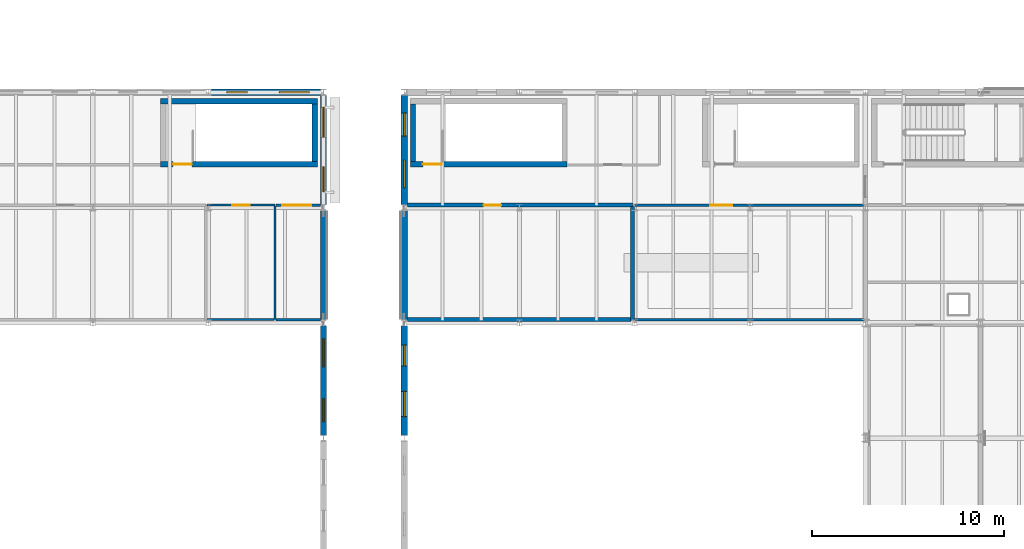
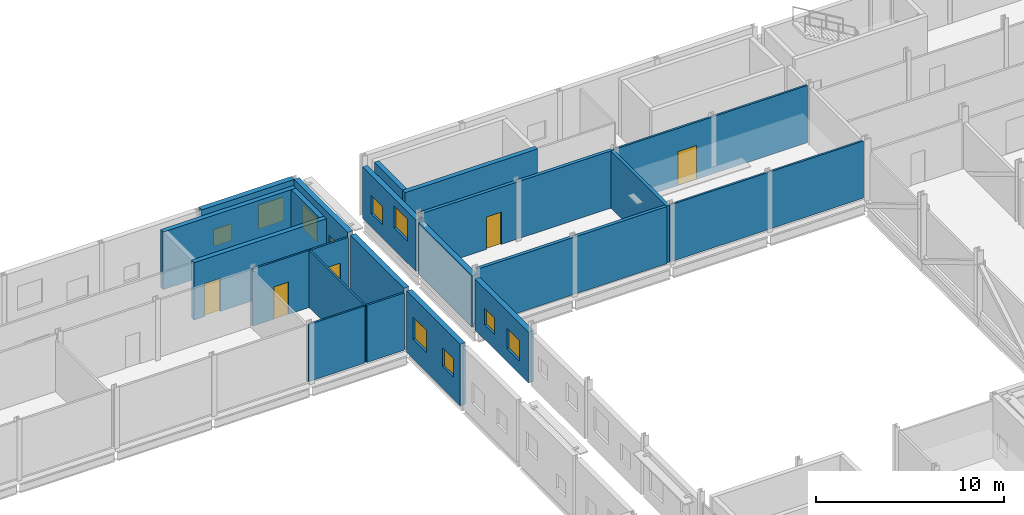
# One storey, part 66 of 92: 22 walls, 10 windows, 6 doors, 16 openings.
"""IFC4 building model written with IfcOpenShell, lengths in metres."""

from ifc_helpers import new_model, si_unit, direction, frame, frame_2d, origin, place, context, subcontext, project, spatial, rectangle, extrude, material, layer, layer_set, type_object, element, fill, save


model = new_model("IFC4")

# Units and contexts
model_context = context("Model", 3, precision=1e-05, world=origin(), true_north=direction((0.0, 1.0)))
body_context = subcontext(model_context, "Body", "Model", "MODEL_VIEW")
ifc_project = project(units=[si_unit("LENGTHUNIT", "METRE"), si_unit("AREAUNIT", "SQUARE_METRE"), si_unit("VOLUMEUNIT", "CUBIC_METRE"), si_unit("PLANEANGLEUNIT", "RADIAN"), si_unit("MASSUNIT", "GRAM", prefix="KILO")], contexts=[model_context])

# Site, building, storey
site_placement = place(None, origin())
site = spatial("IfcSite", under=ifc_project, at=site_placement, CompositionType="ELEMENT")
building_placement = place(site_placement, origin())
building = spatial("IfcBuilding", under=site, at=building_placement, Name="Siltcreek Boulevard Central Fire Station", CompositionType="ELEMENT")
storey_placement = place(building_placement, frame((0.0, 0.0, 6.0)))
storey = spatial("IfcBuildingStorey", under=building, at=storey_placement, Name="L02", CompositionType="ELEMENT", Elevation=6.0)

# Wall, opening, door
ifc_material_1 = material(Name="Concrete C40/50", Category="concrete")
ifc_layer_1 = layer(ifc_material_1, 0.280029296875, Name="Concrete C40/50")
ifc_layer_set_1 = layer_set([ifc_layer_1], Name="Concrete C40/50")
wall_type_1 = type_object("IfcWallType", Name="CW_SHEAR280", PredefinedType="SHEAR", material=ifc_layer_set_1)
wall_1_placement = place(storey_placement, frame((29.320068359375, 50.260009765625, 0.0), z_axis=(0.0, 0.0, 1.0), x_axis=(1.0, 0.0, 0.0)))
wall_1 = element("IfcWall", 1, at=wall_1_placement, inside=storey, type_object=wall_type_1, Name="L02 ST-V4B stair enclosure south shear wall", PredefinedType="SHEAR", context=body_context, shape_type="SweptSolid", body=[
    extrude(rectangle(XDim=8.159912109375, YDim=0.280029296875, at=frame_2d((4.080078125, 0.0))), origin(), (0.0, 0.0, 1.0), 3.75),
])
opening_1_placement = place(wall_1_placement, frame((0.64990234375, 0.0, 0.0)))
opening_1 = element("IfcOpeningElement", 2, at=opening_1_placement, cuts=wall_1, Name="Opening SD-004", PredefinedType="OPENING", context=body_context, shape_type="SweptSolid", body=[
    extrude(rectangle(XDim=0.97998046875, YDim=2.14990234375, at=frame_2d((0.489990234375, 1.074951171875))), frame((0.0, 0.14990234375, 0.0), z_axis=(0.0, -1.0, 0.0), x_axis=(1.0, 0.0, 0.0)), (0.0, 0.0, 1.0), 0.300048828125),
])
ifc_material_2 = material(Name="Hollow metal 90-min enclosed stair door")
door_type_1 = type_object("IfcDoorType", Name="DR_ST_098X215", OperationType="NOTDEFINED", PredefinedType="DOOR", material=ifc_material_2)
door_1_placement = place(opening_1_placement, origin())
door_1 = element("IfcDoor", 3, at=door_1_placement, inside=storey, type_object=door_type_1, Name="L02 ST-V4B enclosed exit stair door SD-004", OperationType="SINGLE_SWING_LEFT", OverallHeight=2.14990234375, OverallWidth=0.97998046875, PredefinedType="DOOR", context=body_context, shape_type="SweptSolid", body=[
    extrude(rectangle(XDim=0.97998046875, YDim=2.14990234375, at=frame_2d((0.489990234375, 1.074951171875))), frame((0.0, 0.02490234375, 0.0), z_axis=(0.0, -1.0, 0.0), x_axis=(1.0, 0.0, 0.0)), (0.0, 0.0, 1.0), 0.050048828125),
])
fill(opening_1, door_1)

# Walls
wall_2_placement = place(storey_placement, frame((37.47998046875, 53.5400390625, 0.0), z_axis=(0.0, 0.0, 1.0), x_axis=(-1.0, 0.0, 0.0)))
element("IfcWall", 4, at=wall_2_placement, inside=storey, type_object=wall_type_1, Name="L02 ST-V4B stair enclosure north shear wall", PredefinedType="SHEAR", context=body_context, shape_type="SweptSolid", body=[
    extrude(rectangle(XDim=8.159912109375, YDim=0.280029296875, at=frame_2d((4.080078125, 0.0))), origin(), (0.0, 0.0, 1.0), 3.75),
])
wall_3_placement = place(storey_placement, frame((37.340087890625, 50.39990234375, 0.0), z_axis=(0.0, 0.0, 1.0), x_axis=(0.0, 1.0, 0.0)))
element("IfcWall", 5, at=wall_3_placement, inside=storey, type_object=wall_type_1, Name="L02 ST-V4B stair enclosure east shear wall", PredefinedType="SHEAR", context=body_context, shape_type="SweptSolid", body=[
    extrude(rectangle(XDim=3.0, YDim=0.280029296875, at=frame_2d((1.5, 0.0))), origin(), (0.0, 0.0, 1.0), 3.75),
])

# Wall, opening, door
wall_4_placement = place(storey_placement, frame((42.320068359375, 50.260009765625, 0.0), z_axis=(0.0, 0.0, 1.0), x_axis=(1.0, 0.0, 0.0)))
wall_4 = element("IfcWall", 6, at=wall_4_placement, inside=storey, type_object=wall_type_1, Name="L02 ST-V1A stair enclosure south shear wall", PredefinedType="SHEAR", context=body_context, shape_type="SweptSolid", body=[
    extrude(rectangle(XDim=8.159912109375, YDim=0.280029296875, at=frame_2d((4.080078125, 0.0))), origin(), (0.0, 0.0, 1.0), 3.75),
])
opening_2_placement = place(wall_4_placement, frame((0.64990234375, 0.0, 0.0)))
opening_2 = element("IfcOpeningElement", 7, at=opening_2_placement, cuts=wall_4, Name="Opening SD-006", PredefinedType="OPENING", context=body_context, shape_type="SweptSolid", body=[
    extrude(rectangle(XDim=0.97998046875, YDim=2.14990234375, at=frame_2d((0.489990234375, 1.074951171875))), frame((0.0, 0.14990234375, 0.0), z_axis=(0.0, -1.0, 0.0), x_axis=(1.0, 0.0, 0.0)), (0.0, 0.0, 1.0), 0.300048828125),
])
door_2_placement = place(opening_2_placement, origin())
door_2 = element("IfcDoor", 8, at=door_2_placement, inside=storey, type_object=door_type_1, Name="L02 ST-V1A enclosed exit stair door SD-006", OperationType="SINGLE_SWING_LEFT", OverallHeight=2.14990234375, OverallWidth=0.97998046875, PredefinedType="DOOR", context=body_context, shape_type="SweptSolid", body=[
    extrude(rectangle(XDim=0.97998046875, YDim=2.14990234375, at=frame_2d((0.489990234375, 1.074951171875))), frame((0.0, 0.02490234375, 0.0), z_axis=(0.0, -1.0, 0.0), x_axis=(1.0, 0.0, 0.0)), (0.0, 0.0, 1.0), 0.050048828125),
])
fill(opening_2, door_2)

# Wall
wall_5_placement = place(storey_placement, frame((42.4599609375, 53.39990234375, 0.0), z_axis=(0.0, 0.0, 1.0), x_axis=(0.0, -1.0, 0.0)))
element("IfcWall", 9, at=wall_5_placement, inside=storey, type_object=wall_type_1, Name="L02 ST-V1A stair enclosure west shear wall", PredefinedType="SHEAR", context=body_context, shape_type="SweptSolid", body=[
    extrude(rectangle(XDim=3.0, YDim=0.280029296875, at=frame_2d((1.5, 0.0))), origin(), (0.0, 0.0, 1.0), 3.75),
])

# Wall, openings, windows
ifc_material_3 = material(Name="White ribbed aluminum insulated rainscreen panel", Category="aluminium")
ifc_layer_2 = layer(ifc_material_3, 0.320068359375, Name="White ribbed aluminum insulated rainscreen panel")
ifc_layer_set_2 = layer_set([ifc_layer_2], Name="White ribbed aluminum insulated rainscreen panel")
wall_type_2 = type_object("IfcWallType", Name="EW_METAL320", PredefinedType="STANDARD", material=ifc_layer_set_2)
wall_6_placement = place(storey_placement, frame((42.0, 41.85498046875, 0.0), z_axis=(0.0, 0.0, 1.0), x_axis=(0.0, -1.0, 0.0)))
wall_6 = element("IfcWall", 10, at=wall_6_placement, inside=storey, type_object=wall_type_2, Name="L02 V1 exterior insulated rainscreen wall WL-EXT-L02-0043", PredefinedType="STANDARD", context=body_context, shape_type="SweptSolid", body=[
    extrude(rectangle(XDim=5.7099609375, YDim=0.320068359375, at=frame_2d((2.85498046875, 0.0))), origin(), (0.0, 0.0, 1.0), 3.318115234375),
])
opening_3_placement = place(wall_6_placement, frame((1.014404296875, 0.0, 0.9599609375)))
opening_3 = element("IfcOpeningElement", 11, at=opening_3_placement, cuts=wall_6, Name="Opening WN05", PredefinedType="OPENING", context=body_context, shape_type="SweptSolid", body=[
    extrude(rectangle(XDim=1.080078125, YDim=1.080078125, at=frame_2d((0.5400390625, 0.5400390625))), frame((0.0, 0.169921875, 0.0), z_axis=(0.0, -1.0, 0.0), x_axis=(1.0, 0.0, 0.0)), (0.0, 0.0, 1.0), 0.340087890625),
])
opening_4_placement = place(wall_6_placement, frame((3.42041015625, 0.0, 0.860107421875)))
opening_4 = element("IfcOpeningElement", 12, at=opening_4_placement, cuts=wall_6, Name="Opening WN02", PredefinedType="OPENING", context=body_context, shape_type="SweptSolid", body=[
    extrude(rectangle(XDim=1.320068359375, YDim=1.320068359375, at=frame_2d((0.66015625, 0.66015625))), frame((0.0, 0.169921875, 0.0), z_axis=(0.0, -1.0, 0.0), x_axis=(1.0, 0.0, 0.0)), (0.0, 0.0, 1.0), 0.340087890625),
])
ifc_material_4 = material(Name="Thermally broken aluminum frame with low-E insulated glass", Category="aluminium")
window_type_1 = type_object("IfcWindowType", Name="WN_SQ_108X108", PartitioningType="SINGLE_PANEL", PredefinedType="WINDOW", material=ifc_material_4)
window_1_placement = place(opening_3_placement, origin())
window_1 = element("IfcWindow", 13, at=window_1_placement, inside=storey, type_object=window_type_1, Name="L02 V1 square exterior window WN-0024", OverallHeight=1.080078125, OverallWidth=1.080078125, PartitioningType="SINGLE_PANEL", PredefinedType="WINDOW", context=body_context, shape_type="SweptSolid", body=[
    extrude(rectangle(XDim=1.080078125, YDim=1.080078125, at=frame_2d((0.5400390625, 0.5400390625))), frame((0.0, 0.030029296875, 0.0), z_axis=(0.0, -1.0, 0.0), x_axis=(1.0, 0.0, 0.0)), (0.0, 0.0, 1.0), 0.06005859375),
])
fill(opening_3, window_1)
window_type_2 = type_object("IfcWindowType", Name="WN_SQ_132X132", PartitioningType="SINGLE_PANEL", PredefinedType="WINDOW", material=ifc_material_4)
window_2_placement = place(opening_4_placement, origin())
window_2 = element("IfcWindow", 14, at=window_2_placement, inside=storey, type_object=window_type_2, Name="L02 V1 square exterior window WN-0025", OverallHeight=1.320068359375, OverallWidth=1.320068359375, PartitioningType="SINGLE_PANEL", PredefinedType="WINDOW", context=body_context, shape_type="SweptSolid", body=[
    extrude(rectangle(XDim=1.320068359375, YDim=1.320068359375, at=frame_2d((0.66015625, 0.66015625))), frame((0.0, 0.030029296875, 0.0), z_axis=(0.0, -1.0, 0.0), x_axis=(1.0, 0.0, 0.0)), (0.0, 0.0, 1.0), 0.06005859375),
])
fill(opening_4, window_2)

# Wall
wall_7_placement = place(storey_placement, frame((42.0, 47.85498046875, 0.0), z_axis=(0.0, 0.0, 1.0), x_axis=(0.0, -1.0, 0.0)))
element("IfcWall", 15, at=wall_7_placement, inside=storey, type_object=wall_type_2, Name="L02 V1 exterior insulated rainscreen wall WL-EXT-L02-0044", PredefinedType="STANDARD", context=body_context, shape_type="SweptSolid", body=[
    extrude(rectangle(XDim=5.7099609375, YDim=0.320068359375, at=frame_2d((2.85498046875, 0.0))), origin(), (0.0, 0.0, 1.0), 3.3388671875),
])

# Wall, openings, windows
wall_8_placement = place(storey_placement, frame((42.0, 53.85498046875, 0.0), z_axis=(0.0, 0.0, 1.0), x_axis=(0.0, -1.0, 0.0)))
wall_8 = element("IfcWall", 16, at=wall_8_placement, inside=storey, type_object=wall_type_2, Name="L02 V1 exterior insulated rainscreen wall WL-EXT-L02-0045", PredefinedType="STANDARD", context=body_context, shape_type="SweptSolid", body=[
    extrude(rectangle(XDim=5.7099609375, YDim=0.320068359375, at=frame_2d((2.85498046875, 0.0))), origin(), (0.0, 0.0, 1.0), 3.3388671875),
])
opening_5_placement = place(wall_8_placement, frame((0.936279296875, 0.0, 0.860107421875)))
opening_5 = element("IfcOpeningElement", 17, at=opening_5_placement, cuts=wall_8, Name="Opening WN01", PredefinedType="OPENING", context=body_context, shape_type="SweptSolid", body=[
    extrude(rectangle(XDim=1.199951171875, YDim=1.199951171875, at=frame_2d((0.60009765625, 0.60009765625))), frame((0.0, 0.169921875, 0.0), z_axis=(0.0, -1.0, 0.0), x_axis=(1.0, 0.0, 0.0)), (0.0, 0.0, 1.0), 0.340087890625),
])
opening_6_placement = place(wall_8_placement, frame((3.37841796875, 0.0, 1.419921875)))
opening_6 = element("IfcOpeningElement", 18, at=opening_6_placement, cuts=wall_8, Name="Opening WN03", PredefinedType="OPENING", context=body_context, shape_type="SweptSolid", body=[
    extrude(rectangle(XDim=1.43994140625, YDim=1.43994140625, at=frame_2d((0.719970703125, 0.719970703125))), frame((0.0, 0.169921875, 0.0), z_axis=(0.0, -1.0, 0.0), x_axis=(1.0, 0.0, 0.0)), (0.0, 0.0, 1.0), 0.340087890625),
])
window_type_3 = type_object("IfcWindowType", Name="WN_SQ_120X120", PartitioningType="SINGLE_PANEL", PredefinedType="WINDOW", material=ifc_material_4)
window_3_placement = place(opening_5_placement, origin())
window_3 = element("IfcWindow", 19, at=window_3_placement, inside=storey, type_object=window_type_3, Name="L02 V1 square exterior window WN-0026", OverallHeight=1.199951171875, OverallWidth=1.199951171875, PartitioningType="SINGLE_PANEL", PredefinedType="WINDOW", context=body_context, shape_type="SweptSolid", body=[
    extrude(rectangle(XDim=1.199951171875, YDim=1.199951171875, at=frame_2d((0.60009765625, 0.60009765625))), frame((0.0, 0.030029296875, 0.0), z_axis=(0.0, -1.0, 0.0), x_axis=(1.0, 0.0, 0.0)), (0.0, 0.0, 1.0), 0.06005859375),
])
fill(opening_5, window_3)
window_type_4 = type_object("IfcWindowType", Name="WN_SQ_144X144", PartitioningType="SINGLE_PANEL", PredefinedType="WINDOW", material=ifc_material_4)
window_4_placement = place(opening_6_placement, origin())
window_4 = element("IfcWindow", 20, at=window_4_placement, inside=storey, type_object=window_type_4, Name="L02 V1 square exterior window WN-0027", OverallHeight=1.43994140625, OverallWidth=1.43994140625, PartitioningType="SINGLE_PANEL", PredefinedType="WINDOW", context=body_context, shape_type="SweptSolid", body=[
    extrude(rectangle(XDim=1.43994140625, YDim=1.43994140625, at=frame_2d((0.719970703125, 0.719970703125))), frame((0.0, 0.030029296875, 0.0), z_axis=(0.0, -1.0, 0.0), x_axis=(1.0, 0.0, 0.0)), (0.0, 0.0, 1.0), 0.06005859375),
])
fill(opening_6, window_4)

wall_9_placement = place(storey_placement, frame((37.655029296875, 54.0, 0.0), z_axis=(0.0, 0.0, 1.0), x_axis=(-1.0, 0.0, 0.0)))
wall_9 = element("IfcWall", 21, at=wall_9_placement, inside=storey, type_object=wall_type_2, Name="L02 V4 exterior insulated rainscreen wall WL-EXT-L02-0258", PredefinedType="STANDARD", context=body_context, shape_type="SweptSolid", body=[
    extrude(rectangle(XDim=5.7099609375, YDim=0.320068359375, at=frame_2d((2.85498046875, 0.0))), origin(), (0.0, 0.0, 1.0), 4.0),
])
opening_7_placement = place(wall_9_placement, frame((0.5859375, 0.0, 1.419921875)))
opening_7 = element("IfcOpeningElement", 22, at=opening_7_placement, cuts=wall_9, Name="Opening WN04", PredefinedType="OPENING", context=body_context, shape_type="SweptSolid", body=[
    extrude(rectangle(XDim=1.56005859375, YDim=1.56005859375, at=frame_2d((0.780029296875, 0.780029296875))), frame((0.0, 0.169921875, 0.0), z_axis=(0.0, -1.0, 0.0), x_axis=(1.0, 0.0, 0.0)), (0.0, 0.0, 1.0), 0.340087890625),
])
opening_8_placement = place(wall_9_placement, frame((3.816162109375, 0.0, 1.280029296875)))
opening_8 = element("IfcOpeningElement", 23, at=opening_8_placement, cuts=wall_9, Name="Opening WN05", PredefinedType="OPENING", context=body_context, shape_type="SweptSolid", body=[
    extrude(rectangle(XDim=1.080078125, YDim=1.080078125, at=frame_2d((0.5400390625, 0.5400390625))), frame((0.0, 0.169921875, 0.0), z_axis=(0.0, -1.0, 0.0), x_axis=(1.0, 0.0, 0.0)), (0.0, 0.0, 1.0), 0.340087890625),
])
window_5_placement = place(opening_8_placement, origin())
window_5 = element("IfcWindow", 24, at=window_5_placement, inside=storey, type_object=window_type_1, Name="L02 V4 square exterior window WN-0126", OverallHeight=1.080078125, OverallWidth=1.080078125, PartitioningType="SINGLE_PANEL", PredefinedType="WINDOW", context=body_context, shape_type="SweptSolid", body=[
    extrude(rectangle(XDim=1.080078125, YDim=1.080078125, at=frame_2d((0.5400390625, 0.5400390625))), frame((0.0, 0.030029296875, 0.0), z_axis=(0.0, -1.0, 0.0), x_axis=(1.0, 0.0, 0.0)), (0.0, 0.0, 1.0), 0.06005859375),
])
fill(opening_8, window_5)
window_type_5 = type_object("IfcWindowType", Name="WN_SQ_156X156", PartitioningType="SINGLE_PANEL", PredefinedType="WINDOW", material=ifc_material_4)
window_6_placement = place(opening_7_placement, origin())
window_6 = element("IfcWindow", 25, at=window_6_placement, inside=storey, type_object=window_type_5, Name="L02 V4 square exterior window WN-0125", OverallHeight=1.56005859375, OverallWidth=1.56005859375, PartitioningType="SINGLE_PANEL", PredefinedType="WINDOW", context=body_context, shape_type="SweptSolid", body=[
    extrude(rectangle(XDim=1.56005859375, YDim=1.56005859375, at=frame_2d((0.780029296875, 0.780029296875))), frame((0.0, 0.030029296875, 0.0), z_axis=(0.0, -1.0, 0.0), x_axis=(1.0, 0.0, 0.0)), (0.0, 0.0, 1.0), 0.06005859375),
])
fill(opening_7, window_6)

wall_10_placement = place(storey_placement, frame((37.800048828125, 36.14501953125, 0.0), z_axis=(0.0, 0.0, 1.0), x_axis=(0.0, 1.0, 0.0)))
wall_10 = element("IfcWall", 26, at=wall_10_placement, inside=storey, type_object=wall_type_2, Name="L02 V4 exterior insulated rainscreen wall WL-EXT-L02-0268", PredefinedType="STANDARD", context=body_context, shape_type="SweptSolid", body=[
    extrude(rectangle(XDim=5.7099609375, YDim=0.320068359375, at=frame_2d((2.85498046875, 0.0))), origin(), (0.0, 0.0, 1.0), 4.0),
])
opening_9_placement = place(wall_10_placement, frame((0.7119140625, 0.0, 1.419921875)))
opening_9 = element("IfcOpeningElement", 27, at=opening_9_placement, cuts=wall_10, Name="Opening WN01", PredefinedType="OPENING", context=body_context, shape_type="SweptSolid", body=[
    extrude(rectangle(XDim=1.199951171875, YDim=1.199951171875, at=frame_2d((0.60009765625, 0.60009765625))), frame((0.0, 0.169921875, 0.0), z_axis=(0.0, -1.0, 0.0), x_axis=(1.0, 0.0, 0.0)), (0.0, 0.0, 1.0), 0.340087890625),
])
opening_10_placement = place(wall_10_placement, frame((3.582275390625, 0.0, 1.280029296875)))
opening_10 = element("IfcOpeningElement", 28, at=opening_10_placement, cuts=wall_10, Name="Opening WN03", PredefinedType="OPENING", context=body_context, shape_type="SweptSolid", body=[
    extrude(rectangle(XDim=1.43994140625, YDim=1.43994140625, at=frame_2d((0.719970703125, 0.719970703125))), frame((0.0, 0.169921875, 0.0), z_axis=(0.0, -1.0, 0.0), x_axis=(1.0, 0.0, 0.0)), (0.0, 0.0, 1.0), 0.340087890625),
])
window_7_placement = place(opening_9_placement, origin())
window_7 = element("IfcWindow", 29, at=window_7_placement, inside=storey, type_object=window_type_3, Name="L02 V4 square exterior window WN-0143", OverallHeight=1.199951171875, OverallWidth=1.199951171875, PartitioningType="SINGLE_PANEL", PredefinedType="WINDOW", context=body_context, shape_type="SweptSolid", body=[
    extrude(rectangle(XDim=1.199951171875, YDim=1.199951171875, at=frame_2d((0.60009765625, 0.60009765625))), frame((0.0, 0.030029296875, 0.0), z_axis=(0.0, -1.0, 0.0), x_axis=(1.0, 0.0, 0.0)), (0.0, 0.0, 1.0), 0.06005859375),
])
fill(opening_9, window_7)
window_8_placement = place(opening_10_placement, origin())
window_8 = element("IfcWindow", 30, at=window_8_placement, inside=storey, type_object=window_type_4, Name="L02 V4 square exterior window WN-0144", OverallHeight=1.43994140625, OverallWidth=1.43994140625, PartitioningType="SINGLE_PANEL", PredefinedType="WINDOW", context=body_context, shape_type="SweptSolid", body=[
    extrude(rectangle(XDim=1.43994140625, YDim=1.43994140625, at=frame_2d((0.719970703125, 0.719970703125))), frame((0.0, 0.030029296875, 0.0), z_axis=(0.0, -1.0, 0.0), x_axis=(1.0, 0.0, 0.0)), (0.0, 0.0, 1.0), 0.06005859375),
])
fill(opening_10, window_8)

# Wall
wall_11_placement = place(storey_placement, frame((37.800048828125, 42.14501953125, 0.0), z_axis=(0.0, 0.0, 1.0), x_axis=(0.0, 1.0, 0.0)))
element("IfcWall", 31, at=wall_11_placement, inside=storey, type_object=wall_type_2, Name="L02 V4 exterior insulated rainscreen wall WL-EXT-L02-0269", PredefinedType="STANDARD", context=body_context, shape_type="SweptSolid", body=[
    extrude(rectangle(XDim=5.7099609375, YDim=0.320068359375, at=frame_2d((2.85498046875, 0.0))), origin(), (0.0, 0.0, 1.0), 4.0),
])

# Wall, openings, windows
wall_12_placement = place(storey_placement, frame((37.800048828125, 48.14501953125, 0.0), z_axis=(0.0, 0.0, 1.0), x_axis=(0.0, 1.0, 0.0)))
wall_12 = element("IfcWall", 32, at=wall_12_placement, inside=storey, type_object=wall_type_2, Name="L02 V4 exterior insulated rainscreen wall WL-EXT-L02-0270", PredefinedType="STANDARD", context=body_context, shape_type="SweptSolid", body=[
    extrude(rectangle(XDim=5.7099609375, YDim=0.320068359375, at=frame_2d((2.85498046875, 0.0))), origin(), (0.0, 0.0, 1.0), 4.0),
])
opening_11_placement = place(wall_12_placement, frame((0.669921875, 0.0, 1.280029296875)))
opening_11 = element("IfcOpeningElement", 33, at=opening_11_placement, cuts=wall_12, Name="Opening WN02", PredefinedType="OPENING", context=body_context, shape_type="SweptSolid", body=[
    extrude(rectangle(XDim=1.320068359375, YDim=1.320068359375, at=frame_2d((0.66015625, 0.66015625))), frame((0.0, 0.169921875, 0.0), z_axis=(0.0, -1.0, 0.0), x_axis=(1.0, 0.0, 0.0)), (0.0, 0.0, 1.0), 0.340087890625),
])
opening_12_placement = place(wall_12_placement, frame((3.504150390625, 0.0, 1.179931640625)))
opening_12 = element("IfcOpeningElement", 34, at=opening_12_placement, cuts=wall_12, Name="Opening WN04", PredefinedType="OPENING", context=body_context, shape_type="SweptSolid", body=[
    extrude(rectangle(XDim=1.56005859375, YDim=1.56005859375, at=frame_2d((0.780029296875, 0.780029296875))), frame((0.0, 0.169921875, 0.0), z_axis=(0.0, -1.0, 0.0), x_axis=(1.0, 0.0, 0.0)), (0.0, 0.0, 1.0), 0.340087890625),
])
window_9_placement = place(opening_11_placement, origin())
window_9 = element("IfcWindow", 35, at=window_9_placement, inside=storey, type_object=window_type_2, Name="L02 V4 square exterior window WN-0145", OverallHeight=1.320068359375, OverallWidth=1.320068359375, PartitioningType="SINGLE_PANEL", PredefinedType="WINDOW", context=body_context, shape_type="SweptSolid", body=[
    extrude(rectangle(XDim=1.320068359375, YDim=1.320068359375, at=frame_2d((0.66015625, 0.66015625))), frame((0.0, 0.030029296875, 0.0), z_axis=(0.0, -1.0, 0.0), x_axis=(1.0, 0.0, 0.0)), (0.0, 0.0, 1.0), 0.06005859375),
])
fill(opening_11, window_9)
window_10_placement = place(opening_12_placement, origin())
window_10 = element("IfcWindow", 36, at=window_10_placement, inside=storey, type_object=window_type_5, Name="L02 V4 square exterior window WN-0146", OverallHeight=1.56005859375, OverallWidth=1.56005859375, PartitioningType="SINGLE_PANEL", PredefinedType="WINDOW", context=body_context, shape_type="SweptSolid", body=[
    extrude(rectangle(XDim=1.56005859375, YDim=1.56005859375, at=frame_2d((0.780029296875, 0.780029296875))), frame((0.0, 0.030029296875, 0.0), z_axis=(0.0, -1.0, 0.0), x_axis=(1.0, 0.0, 0.0)), (0.0, 0.0, 1.0), 0.06005859375),
])
fill(opening_12, window_10)

# Wall, opening, door
ifc_material_5 = material(Name="Fire-rated concrete masonry and gypsum barrier", Category="masonry")
ifc_layer_3 = layer(ifc_material_5, 0.199951171875, Name="Fire-rated concrete masonry and gypsum barrier")
ifc_layer_set_3 = layer_set([ifc_layer_3], Name="Fire-rated concrete masonry and gypsum barrier")
wall_type_3 = type_object("IfcWallType", Name="IW_FIRE200", PredefinedType="PARTITIONING", material=ifc_layer_set_3)
wall_13_placement = place(storey_placement, frame((42.159912109375, 48.1298828125, 0.0), z_axis=(0.0, 0.0, 1.0), x_axis=(1.0, 0.0, 0.0)))
wall_13 = element("IfcWall", 37, at=wall_13_placement, inside=storey, type_object=wall_type_3, Name="L02 Transition Decontamination Showers partition 0127", PredefinedType="PARTITIONING", context=body_context, shape_type="SweptSolid", body=[
    extrude(rectangle(XDim=11.760009765625, YDim=0.199951171875, at=frame_2d((5.8798828125, 0.0))), origin(), (0.0, 0.0, 1.0), 3.719970703125),
])
opening_13_placement = place(wall_13_placement, frame((3.96875, 0.0, 0.0)))
opening_13 = element("IfcOpeningElement", 38, at=opening_13_placement, cuts=wall_13, Name="Opening ID04", PredefinedType="OPENING", context=body_context, shape_type="SweptSolid", body=[
    extrude(rectangle(XDim=0.909912109375, YDim=2.10009765625, at=frame_2d((0.455078125, 1.050048828125))), frame((0.0, 0.10986328125, 0.0), z_axis=(0.0, -1.0, 0.0), x_axis=(1.0, 0.0, 0.0)), (0.0, 0.0, 1.0), 0.219970703125),
])
ifc_material_6 = material(Name="STC-45 acoustic crew bunk room door")
door_type_2 = type_object("IfcDoorType", Name="DR_BNK_091X210", OperationType="NOTDEFINED", PredefinedType="DOOR", material=ifc_material_6)
door_3_placement = place(opening_13_placement, frame((0.909912109375, 0.0, 0.0), z_axis=(0.0, 0.0, 1.0), x_axis=(-1.0, 0.0, 0.0)))
door_3 = element("IfcDoor", 39, at=door_3_placement, inside=storey, type_object=door_type_2, Name="L02 Transition Decontamination Showers door ID-0058", OperationType="SINGLE_SWING_LEFT", OverallHeight=2.10009765625, OverallWidth=0.909912109375, PredefinedType="DOOR", context=body_context, shape_type="SweptSolid", body=[
    extrude(rectangle(XDim=0.909912109375, YDim=2.10009765625, at=frame_2d((0.455078125, 1.050048828125))), frame((0.0, 0.02490234375, 0.0), z_axis=(0.0, -1.0, 0.0), x_axis=(1.0, 0.0, 0.0)), (0.0, 0.0, 1.0), 0.050048828125),
])
fill(opening_13, door_3)

# Walls
wall_14_placement = place(storey_placement, frame((53.8798828125, 48.050048828125, 0.0), z_axis=(0.0, 0.0, 1.0), x_axis=(0.0, -1.0, 0.0)))
element("IfcWall", 40, at=wall_14_placement, inside=storey, type_object=wall_type_3, Name="L02 Transition Decontamination Showers partition 0128", PredefinedType="PARTITIONING", context=body_context, shape_type="SweptSolid", body=[
    extrude(rectangle(XDim=5.920166015625, YDim=0.199951171875, at=frame_2d((2.9599609375, 0.0))), origin(), (0.0, 0.0, 1.0), 3.719970703125),
])
wall_15_placement = place(storey_placement, frame((53.800048828125, 42.169921875, 0.0), z_axis=(0.0, 0.0, 1.0), x_axis=(-1.0, 0.0, 0.0)))
element("IfcWall", 41, at=wall_15_placement, inside=storey, type_object=wall_type_3, Name="L02 Transition Decontamination Showers partition 0129", PredefinedType="PARTITIONING", context=body_context, shape_type="SweptSolid", body=[
    extrude(rectangle(XDim=11.64013671875, YDim=0.199951171875, at=frame_2d((5.820068359375, 0.0))), origin(), (0.0, 0.0, 1.0), 3.719970703125),
])

# Wall, opening, door
ifc_material_7 = material(Name="Interior steel stud gypsum partition", Category="steel")
ifc_layer_4 = layer(ifc_material_7, 0.125, Name="Interior steel stud gypsum partition")
ifc_layer_set_4 = layer_set([ifc_layer_4], Name="Interior steel stud gypsum partition")
wall_type_4 = type_object("IfcWallType", Name="IW_PART125", PredefinedType="PARTITIONING", material=ifc_layer_set_4)
wall_16_placement = place(storey_placement, frame((35.3349609375, 48.1298828125, 0.0), z_axis=(0.0, 0.0, 1.0), x_axis=(1.0, 0.0, 0.0)))
wall_16 = element("IfcWall", 42, at=wall_16_placement, inside=storey, type_object=wall_type_4, Name="L02 Calibration Standards Room partition 0120", PredefinedType="PARTITIONING", context=body_context, shape_type="SweptSolid", body=[
    extrude(rectangle(XDim=2.304931640625, YDim=0.125, at=frame_2d((1.15234375, 0.0))), origin(), (0.0, 0.0, 1.0), 3.719970703125),
])
opening_14_placement = place(wall_16_placement, frame((0.32177734375, 0.0, 0.0)))
opening_14 = element("IfcOpeningElement", 43, at=opening_14_placement, cuts=wall_16, Name="Opening ID14", PredefinedType="OPENING", context=body_context, shape_type="SweptSolid", body=[
    extrude(rectangle(XDim=1.5, YDim=2.219970703125, at=frame_2d((0.75, 1.10986328125))), frame((0.0, 0.072509765625, 0.0), z_axis=(0.0, -1.0, 0.0), x_axis=(1.0, 0.0, 0.0)), (0.0, 0.0, 1.0), 0.14501953125),
])
ifc_material_8 = material(Name="Glazed conditioning gym pair")
door_type_3 = type_object("IfcDoorType", Name="DR_GYM_150X222", OperationType="NOTDEFINED", PredefinedType="DOOR", material=ifc_material_8)
door_4_placement = place(opening_14_placement, frame((1.5, 0.0, 0.0), z_axis=(0.0, 0.0, 1.0), x_axis=(-1.0, 0.0, 0.0)))
door_4 = element("IfcDoor", 44, at=door_4_placement, inside=storey, type_object=door_type_3, Name="L02 Calibration Standards Room door ID-0054", OperationType="SINGLE_SWING_LEFT", OverallHeight=2.219970703125, OverallWidth=1.5, PredefinedType="DOOR", context=body_context, shape_type="SweptSolid", body=[
    extrude(rectangle(XDim=1.5, YDim=2.219970703125, at=frame_2d((0.75, 1.10986328125))), frame((0.0, 0.02490234375, 0.0), z_axis=(0.0, -1.0, 0.0), x_axis=(1.0, 0.0, 0.0)), (0.0, 0.0, 1.0), 0.050048828125),
])
fill(opening_14, door_4)

# Wall
wall_17_placement = place(storey_placement, frame((37.639892578125, 42.169921875, 0.0), z_axis=(0.0, 0.0, 1.0), x_axis=(-1.0, 0.0, 0.0)))
element("IfcWall", 45, at=wall_17_placement, inside=storey, type_object=wall_type_4, Name="L02 Calibration Standards Room partition 0121", PredefinedType="PARTITIONING", context=body_context, shape_type="SweptSolid", body=[
    extrude(rectangle(XDim=2.304931640625, YDim=0.125, at=frame_2d((1.15234375, 0.0))), origin(), (0.0, 0.0, 1.0), 3.719970703125),
])

# Wall, opening, door
wall_18_placement = place(storey_placement, frame((53.97998046875, 48.1298828125, 0.0), z_axis=(0.0, 0.0, 1.0), x_axis=(1.0, 0.0, 0.0)))
wall_18 = element("IfcWall", 46, at=wall_18_placement, inside=storey, type_object=wall_type_4, Name="L02 Respiratory Calibration Laboratory partition 0130", PredefinedType="PARTITIONING", context=body_context, shape_type="SweptSolid", body=[
    extrude(rectangle(XDim=11.919921875, YDim=0.125, at=frame_2d((5.9599609375, 0.0))), origin(), (0.0, 0.0, 1.0), 3.719970703125),
])
opening_15_placement = place(wall_18_placement, frame((3.936279296875, 0.0, 0.0)))
opening_15 = element("IfcOpeningElement", 47, at=opening_15_placement, cuts=wall_18, Name="Opening ID06", PredefinedType="OPENING", context=body_context, shape_type="SweptSolid", body=[
    extrude(rectangle(XDim=1.159912109375, YDim=2.199951171875, at=frame_2d((0.580078125, 1.10009765625))), frame((0.0, 0.072509765625, 0.0), z_axis=(0.0, -1.0, 0.0), x_axis=(1.0, 0.0, 0.0)), (0.0, 0.0, 1.0), 0.14501953125),
])
ifc_material_9 = material(Name="Glazed simulation laboratory door")
door_type_4 = type_object("IfcDoorType", Name="DR_LAB_116X220", OperationType="NOTDEFINED", PredefinedType="DOOR", material=ifc_material_9)
door_5_placement = place(opening_15_placement, frame((1.159912109375, 0.0, 0.0), z_axis=(0.0, 0.0, 1.0), x_axis=(-1.0, 0.0, 0.0)))
door_5 = element("IfcDoor", 48, at=door_5_placement, inside=storey, type_object=door_type_4, Name="L02 Respiratory Calibration Laboratory door ID-0059", OperationType="SINGLE_SWING_RIGHT", OverallHeight=2.199951171875, OverallWidth=1.159912109375, PredefinedType="DOOR", context=body_context, shape_type="SweptSolid", body=[
    extrude(rectangle(XDim=1.159912109375, YDim=2.199951171875, at=frame_2d((0.580078125, 1.10009765625))), frame((0.0, 0.02490234375, 0.0), z_axis=(0.0, -1.0, 0.0), x_axis=(1.0, 0.0, 0.0)), (0.0, 0.0, 1.0), 0.050048828125),
])
fill(opening_15, door_5)

# Wall
wall_19_placement = place(storey_placement, frame((65.89990234375, 42.169921875, 0.0), z_axis=(0.0, 0.0, 1.0), x_axis=(-1.0, 0.0, 0.0)))
element("IfcWall", 49, at=wall_19_placement, inside=storey, type_object=wall_type_4, Name="L02 Respiratory Calibration Laboratory partition 0131", PredefinedType="PARTITIONING", context=body_context, shape_type="SweptSolid", body=[
    extrude(rectangle(XDim=11.919921875, YDim=0.125, at=frame_2d((5.9599609375, 0.0))), origin(), (0.0, 0.0, 1.0), 3.719970703125),
])

# Wall, opening, door
ifc_material_10 = material(Name="Moisture-resistant tile backer toilet partition", Category="gypsum")
ifc_layer_5 = layer(ifc_material_10, 0.110107421875, Name="Moisture-resistant tile backer toilet partition")
ifc_layer_set_5 = layer_set([ifc_layer_5], Name="Moisture-resistant tile backer toilet partition")
wall_type_5 = type_object("IfcWallType", Name="IW_WET110", PredefinedType="PARTITIONING", material=ifc_layer_set_5)
wall_20_placement = place(storey_placement, frame((31.742431640625, 48.1298828125, 0.0), z_axis=(0.0, 0.0, 1.0), x_axis=(1.0, 0.0, 0.0)))
wall_20 = element("IfcWall", 50, at=wall_20_placement, inside=storey, type_object=wall_type_5, Name="L02 Mezzanine Accessible Toilet L02 partition 0117", PredefinedType="PARTITIONING", context=body_context, shape_type="SweptSolid", body=[
    extrude(rectangle(XDim=3.532470703125, YDim=0.110107421875, at=frame_2d((1.76611328125, 0.0))), origin(), (0.0, 0.0, 1.0), 3.719970703125),
])
opening_16_placement = place(wall_20_placement, frame((1.316162109375, 0.0, 0.0)))
opening_16 = element("IfcOpeningElement", 51, at=opening_16_placement, cuts=wall_20, Name="Opening ID08", PredefinedType="OPENING", context=body_context, shape_type="SweptSolid", body=[
    extrude(rectangle(XDim=0.89990234375, YDim=2.10009765625, at=frame_2d((0.449951171875, 1.050048828125))), frame((0.0, 0.06494140625, 0.0), z_axis=(0.0, -1.0, 0.0), x_axis=(1.0, 0.0, 0.0)), (0.0, 0.0, 1.0), 0.130126953125),
])
ifc_material_11 = material(Name="Moisture-resistant accessible toilet door")
door_type_5 = type_object("IfcDoorType", Name="DR_WC_090X210", OperationType="NOTDEFINED", PredefinedType="DOOR", material=ifc_material_11)
door_6_placement = place(opening_16_placement, frame((0.89990234375, 0.0, 0.0), z_axis=(0.0, 0.0, 1.0), x_axis=(-1.0, 0.0, 0.0)))
door_6 = element("IfcDoor", 52, at=door_6_placement, inside=storey, type_object=door_type_5, Name="L02 Mezzanine Accessible Toilet L02 door ID-0053", OperationType="SINGLE_SWING_RIGHT", OverallHeight=2.10009765625, OverallWidth=0.89990234375, PredefinedType="DOOR", context=body_context, shape_type="SweptSolid", body=[
    extrude(rectangle(XDim=0.89990234375, YDim=2.10009765625, at=frame_2d((0.449951171875, 1.050048828125))), frame((0.0, 0.02490234375, 0.0), z_axis=(0.0, -1.0, 0.0), x_axis=(1.0, 0.0, 0.0)), (0.0, 0.0, 1.0), 0.050048828125),
])
fill(opening_16, door_6)

# Walls
wall_21_placement = place(storey_placement, frame((35.280029296875, 48.074951171875, 0.0), z_axis=(0.0, 0.0, 1.0), x_axis=(0.0, -1.0, 0.0)))
element("IfcWall", 53, at=wall_21_placement, inside=storey, type_object=wall_type_5, Name="L02 Mezzanine Accessible Toilet L02 partition 0118", PredefinedType="PARTITIONING", context=body_context, shape_type="SweptSolid", body=[
    extrude(rectangle(XDim=5.89990234375, YDim=0.110107421875, at=frame_2d((2.949951171875, 0.0))), origin(), (0.0, 0.0, 1.0), 3.719970703125),
])
wall_22_placement = place(storey_placement, frame((35.22509765625, 42.169921875, 0.0), z_axis=(0.0, 0.0, 1.0), x_axis=(-1.0, 0.0, 0.0)))
element("IfcWall", 54, at=wall_22_placement, inside=storey, type_object=wall_type_5, Name="L02 Mezzanine Accessible Toilet L02 partition 0119", PredefinedType="PARTITIONING", context=body_context, shape_type="SweptSolid", body=[
    extrude(rectangle(XDim=3.482666015625, YDim=0.110107421875, at=frame_2d((1.7412109375, 0.0))), origin(), (0.0, 0.0, 1.0), 3.719970703125),
])

save(model, "model.ifc")
